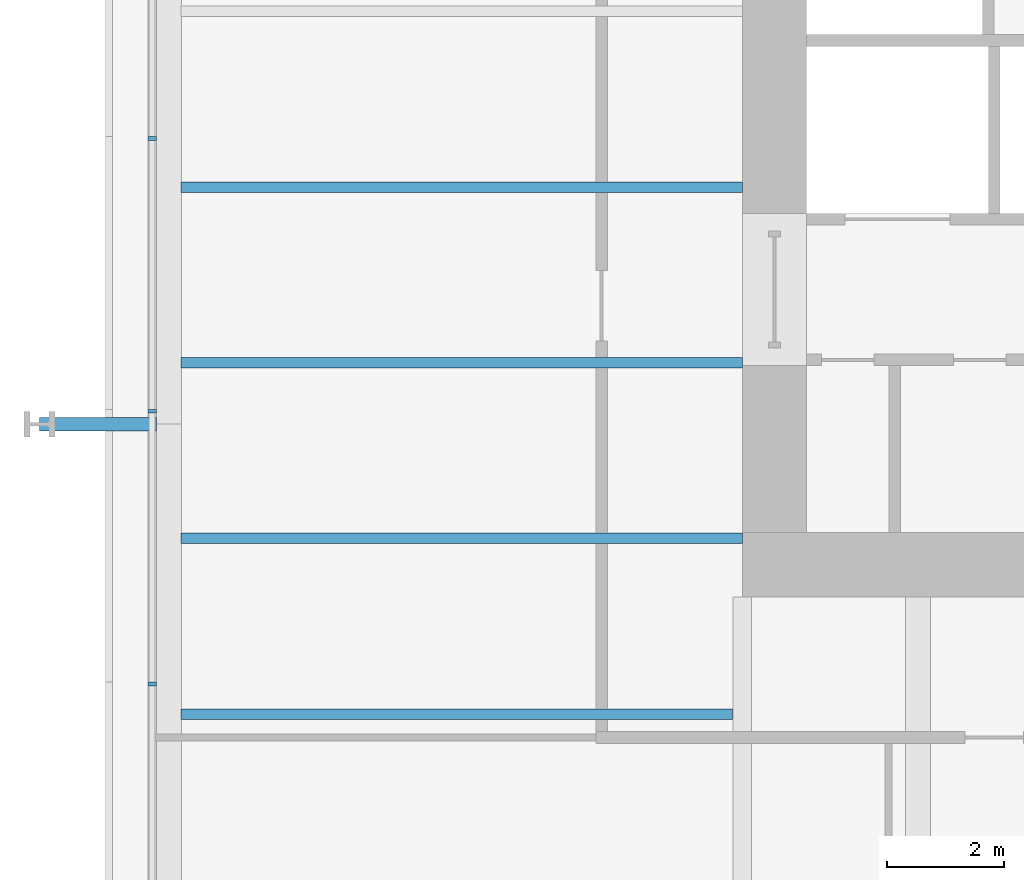
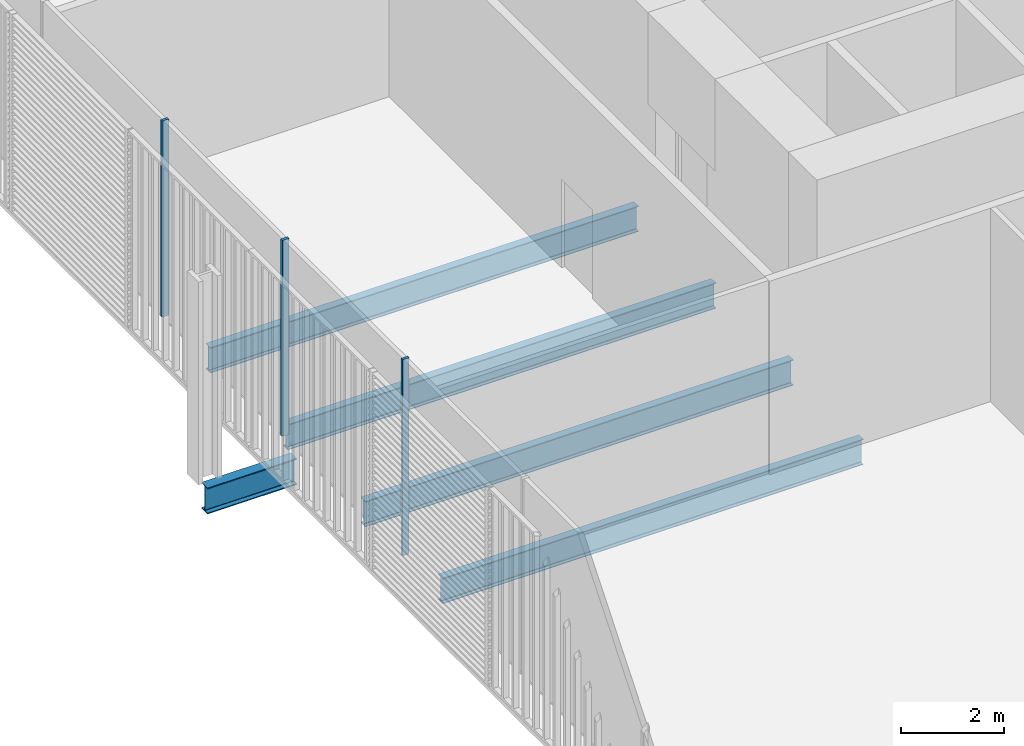
# One storey, part 7 of 25: 5 beams, 3 members, 1 element without a shape of its own.
"""IFC4 building model written with IfcOpenShell, lengths in metres."""

import ifcopenshell
import ifcopenshell.guid

model = None  # the IFC model being written
_history = None  # IfcOwnerHistory: only IFC2X3 demands one
_inside = {}  # id of a spatial element -> (the spatial element, [elements in it])
_under = {}  # id of a project, library or spatial element -> (it, [spatial elements below it])
_declared = {}  # id of a project -> (the project, [libraries it declares])
_typed = {}  # id of a type object -> (the type object, [elements of that type])
_made_of = {}  # id of a material, layer set ... -> (it, [elements and type objects made of it])


def new_model(schema):
    """Start an empty IFC model of exactly this schema.

    Asked for "IFC4X3", IfcOpenShell would pick the latest addendum, in which some entities
    have other attributes; the version numbers below select the first issue.
    IFC2X3 requires an IfcOwnerHistory on every rooted entity: one is made here for all.
    """
    global model, _history
    if schema == "IFC4X3":
        model = ifcopenshell.file(schema_version=(4, 3, 0, 0))
    else:
        model = ifcopenshell.file(schema=schema)
    _inside.clear()
    _under.clear()
    _declared.clear()
    _typed.clear()
    _made_of.clear()
    _history = None
    if model.schema == "IFC2X3":
        org = make("IfcOrganization", Name="unknown")
        user = make(
            "IfcPersonAndOrganization",
            ThePerson=make("IfcPerson", FamilyName="unknown"),
            TheOrganization=org,
        )
        app = make(
            "IfcApplication",
            ApplicationDeveloper=org,
            Version="unknown",
            ApplicationFullName="unknown",
            ApplicationIdentifier="unknown",
        )
        _history = make(
            "IfcOwnerHistory",
            OwningUser=user,
            OwningApplication=app,
            ChangeAction="ADDED",
            CreationDate=0,
        )
    return model


def make(cls, **values):
    """One entity of the class cls with the attributes given. An attribute that is None is left unset."""
    return model.create_entity(
        cls, **{name: value for name, value in values.items() if value is not None}
    )


def rooted(cls, **values):
    """An entity with a GlobalId (a new one), such as an element, a storey or a relation."""
    return make(cls, GlobalId=ifcopenshell.guid.new(), OwnerHistory=_history, **values)


def si_unit(unit_type, name, prefix=None):
    """IfcSIUnit, for example si_unit("LENGTHUNIT", "METRE", prefix="MILLI")."""
    return make("IfcSIUnit", UnitType=unit_type, Prefix=prefix, Name=name)


def assignment(units):
    """IfcUnitAssignment: the units of a project."""
    return None if units is None else make("IfcUnitAssignment", Units=units)


def point(xyz):
    """IfcCartesianPoint."""
    return None if xyz is None else make("IfcCartesianPoint", Coordinates=xyz)


def direction(xyz):
    """IfcDirection."""
    return None if xyz is None else make("IfcDirection", DirectionRatios=xyz)


def frame(location, z_axis=None, x_axis=None):
    """IfcAxis2Placement3D, a coordinate frame: its origin and axes. An axis left out is left unset."""
    return make(
        "IfcAxis2Placement3D",
        Location=point(location),
        Axis=direction(z_axis),
        RefDirection=direction(x_axis),
    )


def frame_2d(location, x_axis=None):
    """IfcAxis2Placement2D, a coordinate frame in the plane: its origin and x axis."""
    return make(
        "IfcAxis2Placement2D", Location=point(location), RefDirection=direction(x_axis)
    )


def origin():
    """The frame at (0, 0, 0) with its axes left unset."""
    return frame((0.0, 0.0, 0.0))


def origin_2d():
    """The frame at (0, 0) in the plane with its x axis left unset."""
    return frame_2d((0.0, 0.0))


def place(relative_to, where):
    """IfcLocalPlacement: puts the frame where relative to a parent placement (None: the world)."""
    return make(
        "IfcLocalPlacement", PlacementRelTo=relative_to, RelativePlacement=where
    )


def context(
    kind, dimensions, precision=None, world=None, true_north=None, identifier=None
):
    """IfcGeometricRepresentationContext, for example the 3D "Model" context."""
    return make(
        "IfcGeometricRepresentationContext",
        ContextIdentifier=identifier,
        ContextType=kind,
        CoordinateSpaceDimension=dimensions,
        Precision=precision,
        WorldCoordinateSystem=world,
        TrueNorth=true_north,
    )


def subcontext(parent, identifier, kind, view, scale=None):
    """IfcGeometricRepresentationSubContext, for example "Body" below "Model"."""
    return make(
        "IfcGeometricRepresentationSubContext",
        ContextIdentifier=identifier,
        ContextType=kind,
        ParentContext=parent,
        TargetScale=scale,
        TargetView=view,
    )


def project(units=None, contexts=None):
    """IfcProject with its units and contexts."""
    return rooted(
        "IfcProject",
        Name="project",
        RepresentationContexts=contexts,
        UnitsInContext=assignment(units),
    )


def spatial(cls, under=None, at=None, **own):
    """A site, building, storey or space (cls), placed at a placement, below another one or the project."""
    s = rooted(cls, ObjectPlacement=at, **own)
    if under is not None:
        _under.setdefault(under.id(), (under, []))[1].append(s)
    return s


def profile(cls, at=None, kind="AREA", **sizes):
    """A parametric profile (cls). Its sizes go by their IFC names, for example OverallWidth=200.0."""
    return make(cls, ProfileType=kind, Position=at, **sizes)


def rectangle(**sizes):
    """IfcRectangleProfileDef."""
    return profile("IfcRectangleProfileDef", **sizes)


def i_section(**sizes):
    """IfcIShapeProfileDef."""
    return profile("IfcIShapeProfileDef", **sizes)


def extrude(swept, where, along, depth):
    """IfcExtrudedAreaSolid: the profile swept, set in the frame where, extruded along a direction by depth."""
    return make(
        "IfcExtrudedAreaSolid",
        SweptArea=swept,
        Position=where,
        ExtrudedDirection=direction(along),
        Depth=depth,
    )


def shape(context_of_items, identifier, shape_type, items):
    """IfcShapeRepresentation: the items that make up one representation, for example the "Body"."""
    return make(
        "IfcShapeRepresentation",
        ContextOfItems=context_of_items,
        RepresentationIdentifier=identifier,
        RepresentationType=shape_type,
        Items=items,
    )


def material(Name=None, Category=None):
    """IfcMaterial."""
    return make("IfcMaterial", Name=Name, Category=Category)


def layer(
    of_material, thickness, ventilated=None, Name=None, Category=None, Priority=None
):
    """IfcMaterialLayer: one layer of a wall or slab, of a material (None: an air gap)."""
    return make(
        "IfcMaterialLayer",
        Material=of_material,
        LayerThickness=thickness,
        IsVentilated=ventilated,
        Name=Name,
        Category=Category,
        Priority=Priority,
    )


def layer_set(layers, Name=None):
    """IfcMaterialLayerSet."""
    return make("IfcMaterialLayerSet", MaterialLayers=layers, LayerSetName=Name)


def material_profile(
    of_material, cross_section, Name=None, Category=None, Priority=None
):
    """IfcMaterialProfile: a cross section and its material."""
    return make(
        "IfcMaterialProfile",
        Name=Name,
        Material=of_material,
        Profile=cross_section,
        Priority=Priority,
        Category=Category,
    )


def profile_set(profiles, Name=None, composite=None):
    """IfcMaterialProfileSet."""
    return make(
        "IfcMaterialProfileSet",
        Name=Name,
        MaterialProfiles=profiles,
        CompositeProfile=composite,
    )


def made_of(thing, what):
    """Note that an element or type object is made of a material, layer set ...; save() writes the relation."""
    if what is not None:
        _made_of.setdefault(what.id(), (what, []))[1].append(thing)
    return thing


def type_object(cls, material=None, **own):
    """A type object (cls), such as IfcWallType, which elements share."""
    return made_of(rooted(cls, **own), material)


def element(
    cls,
    number,
    at=None,
    inside=None,
    cuts=None,
    type_object=None,
    material=None,
    context=None,
    identifier="Body",
    shape_type=None,
    held_by="IfcProductDefinitionShape",
    body=None,
    shapes=None,
    **own,
):
    """One element of the class cls, such as IfcWall. Its Tag is "e" and its number.

    at: its placement. inside: the storey or other place that contains it. cuts: it is an
    opening in that element (IfcRelVoidsElement). A single representation is given by context,
    identifier, shape_type and body (its items); several are given by shapes. held_by: the class
    of the entity that holds the representations. save() writes the other relations.
    """
    e = rooted(cls, Tag="e%d" % number, ObjectPlacement=at, **own)
    if body is not None:
        shapes = [shape(context, identifier, shape_type, body)]
    if shapes is not None:
        e.Representation = make(held_by, Representations=shapes)
    if inside is not None:
        _inside.setdefault(inside.id(), (inside, []))[1].append(e)
    if cuts is not None:
        rooted(
            "IfcRelVoidsElement", RelatingBuildingElement=cuts, RelatedOpeningElement=e
        )
    if type_object is not None:
        _typed.setdefault(type_object.id(), (type_object, []))[1].append(e)
    return made_of(e, material)


def aggregate(whole, parts):
    """IfcRelAggregates: a whole, such as a stair, and the parts it consists of."""
    return rooted("IfcRelAggregates", RelatingObject=whole, RelatedObjects=parts)


def save(model, path):
    """Write the relations noted so far, then the file.

    IfcRelAggregates (storeys below a building ...), IfcRelContainedInSpatialStructure (elements
    in a storey), IfcRelDefinesByType, IfcRelAssociatesMaterial and IfcRelDeclares: one each for
    every whole, place, type object, material and project.
    """
    for whole, parts in _under.values():
        aggregate(whole, parts)
    for where, things in _inside.values():
        rooted(
            "IfcRelContainedInSpatialStructure",
            RelatedElements=things,
            RelatingStructure=where,
        )
    for kind, things in _typed.values():
        rooted("IfcRelDefinesByType", RelatedObjects=things, RelatingType=kind)
    for what, things in _made_of.values():
        rooted("IfcRelAssociatesMaterial", RelatedObjects=things, RelatingMaterial=what)
    for by, libraries in _declared.values():
        rooted("IfcRelDeclares", RelatingContext=by, RelatedDefinitions=libraries)
    model.write(path)


model = new_model("IFC4")

# Units and contexts
model_context = context("Model", 3, precision=1e-05, world=origin(), true_north=direction((0.0, 1.0)))
body_context = subcontext(model_context, "Body", "Model", "MODEL_VIEW")
ifc_project = project(units=[si_unit("LENGTHUNIT", "METRE"), si_unit("AREAUNIT", "SQUARE_METRE"), si_unit("VOLUMEUNIT", "CUBIC_METRE"), si_unit("PLANEANGLEUNIT", "RADIAN"), si_unit("MASSUNIT", "GRAM", prefix="KILO")], contexts=[model_context])

# Site, building, storey
site_placement = place(None, origin())
site = spatial("IfcSite", under=ifc_project, at=site_placement, CompositionType="ELEMENT")
building_placement = place(site_placement, origin())
building = spatial("IfcBuilding", under=site, at=building_placement, Name="Millrace Tower", CompositionType="ELEMENT")
storey_placement = place(building_placement, frame((0.0, 0.0, 6.5)))
storey = spatial("IfcBuildingStorey", under=building, at=storey_placement, Name="L02", CompositionType="ELEMENT", Elevation=6.5)

# Curtain wall, members
ifc_material_1 = material(Name="Aluminium and glass", Category="aluminium")
ifc_layer = layer(ifc_material_1, 0.14990234375)
ifc_layer_set = layer_set([ifc_layer], Name="Aluminium and glass")
curtain_wall_type = type_object("IfcCurtainWallType", Name="CW-2 data hall insulated curtain wall", PredefinedType="NOTDEFINED", material=ifc_layer_set)
curtain_wall_placement = place(storey_placement, origin())
curtain_wall = element("IfcCurtainWall", 1, at=curtain_wall_placement, inside=storey, type_object=curtain_wall_type, Name="Curtain wall AW2-F06 L02", PredefinedType="NOTDEFINED")
ifc_material_2 = material(Name="Aluminium", Category="aluminium")
ifc_material_profile_1 = material_profile(ifc_material_2, rectangle(XDim=0.06494140625, YDim=0.14990234375, at=origin_2d()))
ifc_profile_set_1 = profile_set([ifc_material_profile_1], Name="Aluminium")
member_type = type_object("IfcMemberType", Name="CW-2 data hall insulated curtain wall mullion", PredefinedType="MULLION", material=ifc_profile_set_1)
member_1_placement = place(storey_placement, frame((-25.074951171875, -2.1708984375, 0.159912109375), z_axis=(0.0, 0.0, 1.0), x_axis=(0.0, -1.0, 0.0)))
member_1 = element("IfcMember", 2, at=member_1_placement, type_object=member_type, Name="CW2 mullion AW2-F06.6", PredefinedType="MULLION", context=body_context, shape_type="SweptSolid", body=[
    extrude(rectangle(XDim=0.06494140625, YDim=0.14990234375, at=origin_2d()), origin(), (0.0, 0.0, 1.0), 4.64013671875),
])
member_2_placement = place(storey_placement, frame((-25.074951171875, -6.82861328125, 0.159912109375), z_axis=(0.0, 0.0, 1.0), x_axis=(0.0, -1.0, 0.0)))
member_2 = element("IfcMember", 3, at=member_2_placement, type_object=member_type, Name="CW2 mullion AW2-F06.7", PredefinedType="MULLION", context=body_context, shape_type="SweptSolid", body=[
    extrude(rectangle(XDim=0.06494140625, YDim=0.14990234375, at=origin_2d()), origin(), (0.0, 0.0, 1.0), 4.64013671875),
])
member_3_placement = place(storey_placement, frame((-25.074951171875, -11.486328125, 0.159912109375), z_axis=(0.0, 0.0, 1.0), x_axis=(0.0, -1.0, 0.0)))
member_3 = element("IfcMember", 4, at=member_3_placement, type_object=member_type, Name="CW2 mullion AW2-F06.8", PredefinedType="MULLION", context=body_context, shape_type="SweptSolid", body=[
    extrude(rectangle(XDim=0.06494140625, YDim=0.14990234375, at=origin_2d()), origin(), (0.0, 0.0, 1.0), 4.64013671875),
])
aggregate(curtain_wall, [member_1, member_2, member_3])

# Beams
ifc_material_3 = material(Name="Steel ASTM A992 Grade 50", Category="steel")
ifc_material_profile_2 = material_profile(ifc_material_3, i_section(OverallWidth=0.1787109375, OverallDepth=0.60205078125, WebThickness=0.010986328125, FlangeThickness=0.014892578125, FilletRadius=0.0126953125, at=origin_2d()))
ifc_profile_set_2 = profile_set([ifc_material_profile_2], Name="Steel ASTM A992 Grade 50")
beam_type_1 = type_object("IfcBeamType", Name="Floor beam W24x62", PredefinedType="JOIST", material=ifc_profile_set_2)
beam_1_placement = place(storey_placement, frame((-24.578369140625, -12.0, -0.52587890625), z_axis=(1.0, 0.0, 0.0), x_axis=(0.0, 1.0, 0.0)))
element("IfcBeam", 5, at=beam_1_placement, inside=storey, type_object=beam_type_1, Name="BM-A-L02-S1-S019", PredefinedType="JOIST", context=body_context, shape_type="SweptSolid", body=[
    extrude(i_section(OverallWidth=0.1787109375, OverallDepth=0.60205078125, WebThickness=0.010986328125, FlangeThickness=0.014892578125, FilletRadius=0.0126953125, at=origin_2d()), origin(), (0.0, 0.0, 1.0), 9.414306640625),
])
for number, where, z_axis, x_axis, name in (
    (6, (-24.578369140625, -9.0, -0.52587890625), (1.0, 0.0, 0.0), (0.0, 1.0, 0.0), "BM-A-L02-S1-S022"),
    (7, (-24.578369140625, -6.0, -0.52587890625), (1.0, 0.0, 0.0), (0.0, 1.0, 0.0), "BM-A-L02-S1-S025"),
    (8, (-24.578369140625, -3.0, -0.52587890625), (1.0, 0.0, 0.0), (0.0, 1.0, 0.0), "BM-A-L02-S1-S028"),
):
    element("IfcBeam", number, at=place(storey_placement, frame(where, z_axis=z_axis, x_axis=x_axis)), inside=storey, type_object=beam_type_1, Name=name, PredefinedType="JOIST", context=body_context, shape_type="SweptSolid", body=[
        extrude(i_section(OverallWidth=0.1787109375, OverallDepth=0.60205078125, WebThickness=0.010986328125, FlangeThickness=0.014892578125, FilletRadius=0.0126953125, at=origin_2d()), origin(), (0.0, 0.0, 1.0), 9.578369140625),
    ])
ifc_material_4 = material(Name="Steel ASTM A992 Grade 50", Category="steel")
ifc_material_profile_3 = material_profile(ifc_material_4, i_section(OverallWidth=0.23046875, OverallDepth=0.6171875, WebThickness=0.01318359375, FlangeThickness=0.022216796875, FilletRadius=0.012939453125, at=origin_2d()))
ifc_profile_set_3 = profile_set([ifc_material_profile_3], Name="Steel ASTM A992 Grade 50")
beam_type_2 = type_object("IfcBeamType", Name="Link beam W24x94", PredefinedType="BEAM", material=ifc_profile_set_3)
beam_2_placement = place(storey_placement, frame((-25.0, -7.050048828125, -0.53369140625), z_axis=(-1.0, 0.0, 0.0), x_axis=(0.0, -1.0, 0.0)))
element("IfcBeam", 9, at=beam_2_placement, inside=storey, type_object=beam_type_2, Name="LNK-A-L02-S1-03", PredefinedType="BEAM", context=body_context, shape_type="SweptSolid", body=[
    extrude(i_section(OverallWidth=0.23046875, OverallDepth=0.6171875, WebThickness=0.01318359375, FlangeThickness=0.022216796875, FilletRadius=0.012939453125, at=origin_2d()), origin(), (0.0, 0.0, 1.0), 2.0),
])

save(model, "model.ifc")
